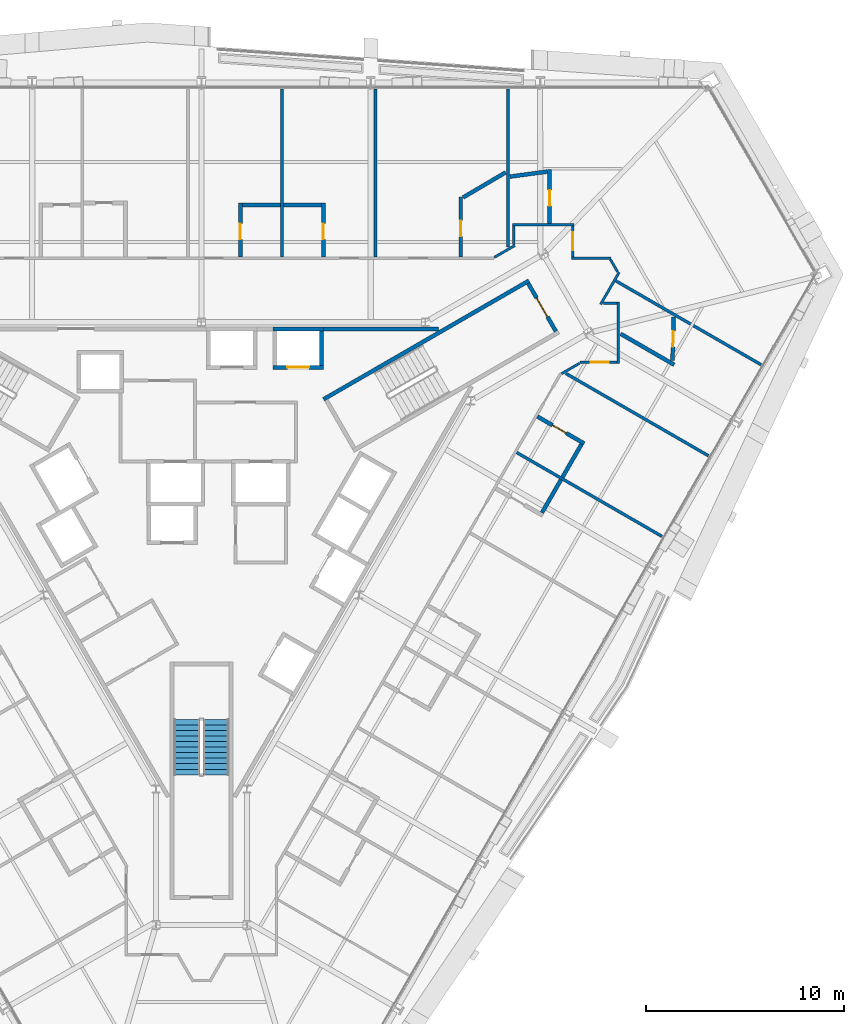
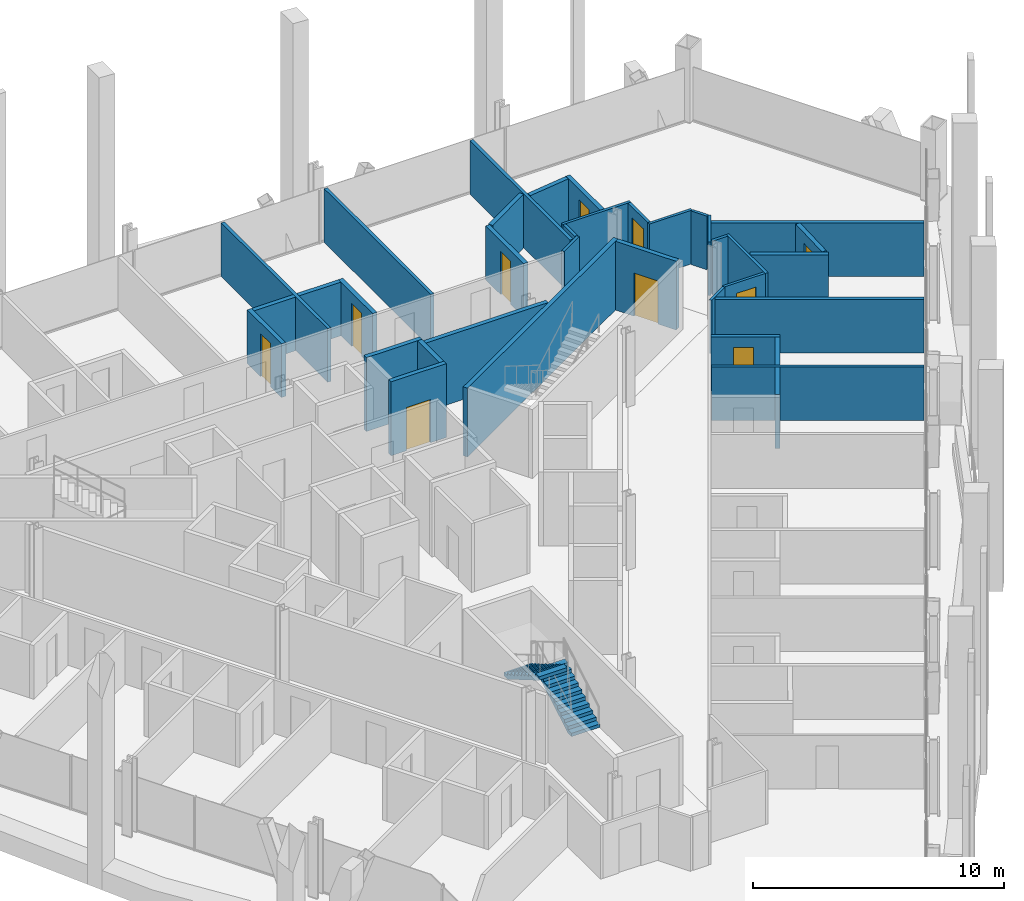
# One storey, part 17 of 21: 36 walls, 10 doors, 2 stair flights, 10 openings, 1 element without a shape of its own.
"""IFC4 building model written with IfcOpenShell, lengths in metres."""

from ifc_helpers import new_model, si_unit, direction, frame, frame_2d, origin, place, context, subcontext, project, spatial, polyline, rectangle, outline, extrude, material, layer, layer_set, type_object, element, fill, aggregate, save


model = new_model("IFC4")

# Units and contexts
model_context = context("Model", 3, precision=1e-05, world=origin(), true_north=direction((0.0, 1.0)))
body_context = subcontext(model_context, "Body", "Model", "MODEL_VIEW")
ifc_project = project(units=[si_unit("LENGTHUNIT", "METRE"), si_unit("AREAUNIT", "SQUARE_METRE"), si_unit("VOLUMEUNIT", "CUBIC_METRE"), si_unit("PLANEANGLEUNIT", "RADIAN"), si_unit("MASSUNIT", "GRAM", prefix="KILO")], contexts=[model_context])

# Site, building, storey
site_placement = place(None, origin())
site = spatial("IfcSite", under=ifc_project, at=site_placement, CompositionType="ELEMENT")
building_placement = place(site_placement, origin())
building = spatial("IfcBuilding", under=site, at=building_placement, Name="Verrane Prism Tower", CompositionType="ELEMENT")
storey_placement = place(building_placement, frame((0.0, 0.0, 65.60009765625)))
storey = spatial("IfcBuildingStorey", under=building, at=storey_placement, Name="L14", CompositionType="ELEMENT", Elevation=65.60009765625)

# Wall
ifc_material_1 = material(Name="Gypsum board partition", Category="other")
ifc_layer_1 = layer(ifc_material_1, 0.199951171875)
ifc_layer_set_1 = layer_set([ifc_layer_1], Name="CW-200 core boundary wall 2 h")
wall_type_1 = type_object("IfcWallType", Name="CW-200 core boundary wall 2 h", PredefinedType="PARTITIONING", material=ifc_layer_set_1)
wall_1_placement = place(storey_placement, frame((6.177001953125, 8.860107421875, 0.0), z_axis=(0.0, 0.0, 1.0), x_axis=(1.0, 0.0, 0.0)))
element("IfcWall", 1, at=wall_1_placement, inside=storey, type_object=wall_type_1, Name="Core boundary wall CW3-006", PredefinedType="PARTITIONING", context=body_context, shape_type="SweptSolid", body=[
    extrude(rectangle(XDim=5.81396484375, YDim=0.199951171875, at=frame_2d((2.906982421875, 0.0))), origin(), (0.0, 0.0, 1.0), 3.349853515625),
])

# Wall, opening, door
ifc_material_2 = material(Name="Concrete C40/50", Category="concrete")
ifc_layer_2 = layer(ifc_material_2, 0.199951171875)
ifc_layer_set_2 = layer_set([ifc_layer_2], Name="CW-200 stair core wall concrete C40/50 3 h")
wall_type_2 = type_object("IfcWallType", Name="CW-200 stair core wall concrete C40/50 3 h", PredefinedType="PARTITIONING", material=ifc_layer_set_2)
wall_2_placement = place(storey_placement, frame((17.933837890625, 8.737548828125, 0.0), z_axis=(0.0, 0.0, 1.0), x_axis=(-0.49998411664, 0.866034573852, 0.0)))
wall_2 = element("IfcWall", 2, at=wall_2_placement, inside=storey, type_object=wall_type_2, Name="Stair 1 enclosure wall", PredefinedType="PARTITIONING", context=body_context, shape_type="SweptSolid", body=[
    extrude(rectangle(XDim=2.7998046875, YDim=0.199951171875, at=frame_2d((1.39990234375, 0.0))), origin(), (0.0, 0.0, 1.0), 3.349853515625),
])
opening_1_placement = place(wall_2_placement, frame((0.849853515625, 0.0, 0.0)))
opening_1 = element("IfcOpeningElement", 3, at=opening_1_placement, cuts=wall_2, Name="Opening D14500", PredefinedType="OPENING", context=body_context, shape_type="SweptSolid", body=[
    extrude(rectangle(XDim=1.10009765625, YDim=2.10009765625, at=frame_2d((0.550048828125, 1.050048828125))), frame((0.0, 0.10986328125, 0.0), z_axis=(0.0, -1.0, 0.0), x_axis=(1.0, 0.0, 0.0)), (0.0, 0.0, 1.0), 0.219970703125),
])
ifc_material_3 = material(Name="Timber veneered door leaf", Category="wood")
door_type_1 = type_object("IfcDoorType", Name="DR-1100x2100 FD90 single leaf stair", OperationType="NOTDEFINED", PredefinedType="DOOR", material=ifc_material_3)
door_1_placement = place(opening_1_placement, origin())
door_1 = element("IfcDoor", 4, at=door_1_placement, inside=storey, type_object=door_type_1, Name="Stair 1 door", OperationType="SINGLE_SWING_LEFT", OverallHeight=2.10009765625, OverallWidth=1.10009765625, PredefinedType="DOOR", context=body_context, shape_type="SweptSolid", body=[
    extrude(rectangle(XDim=1.10009765625, YDim=2.10009765625, at=frame_2d((0.550048828125, 1.050048828125))), frame((0.0, 0.02490234375, 0.0), z_axis=(0.0, -1.0, 0.0), x_axis=(1.0, 0.0, 0.0)), (0.0, 0.0, 1.0), 0.050048828125),
])
fill(opening_1, door_1)

# Wall
wall_3_placement = place(storey_placement, frame((6.17822265625, 5.299072265625, 0.0), z_axis=(0.0, 0.0, 1.0), x_axis=(0.866026010844, 0.49999894854, 0.0)))
element("IfcWall", 5, at=wall_3_placement, inside=storey, type_object=wall_type_2, Name="Stair 1 enclosure wall", PredefinedType="PARTITIONING", context=body_context, shape_type="SweptSolid", body=[
    extrude(rectangle(XDim=12.0, YDim=0.199951171875, at=frame_2d((6.0, 0.0))), origin(), (0.0, 0.0, 1.0), 3.349853515625),
])

# Wall, opening, door
ifc_material_4 = material(Name="Gypsum board shaft wall assembly", Category="other")
ifc_layer_3 = layer(ifc_material_4, 0.199951171875)
ifc_layer_set_3 = layer_set([ifc_layer_3], Name="HW-200 lift shaft wall 2 h")
wall_type_3 = type_object("IfcWallType", Name="HW-200 lift shaft wall 2 h", PredefinedType="PARTITIONING", material=ifc_layer_set_3)
wall_4_placement = place(storey_placement, frame((3.625, 6.909912109375, 0.0), z_axis=(0.0, 0.0, 1.0), x_axis=(1.0, 0.0, 0.0)))
wall_4 = element("IfcWall", 6, at=wall_4_placement, inside=storey, type_object=wall_type_3, Name="Lift shaft wall", PredefinedType="PARTITIONING", context=body_context, shape_type="SweptSolid", body=[
    extrude(rectangle(XDim=2.550048828125, YDim=0.199951171875, at=frame_2d((1.27490234375, 0.0))), origin(), (0.0, 0.0, 1.0), 3.599853515625),
])
opening_2_placement = place(wall_4_placement, frame((0.72509765625, 0.0, 0.0)))
opening_2 = element("IfcOpeningElement", 7, at=opening_2_placement, cuts=wall_4, Name="Opening D14505", PredefinedType="OPENING", context=body_context, shape_type="SweptSolid", body=[
    extrude(rectangle(XDim=1.10009765625, YDim=2.10009765625, at=frame_2d((0.550048828125, 1.050048828125))), frame((0.0, 0.10986328125, 0.0), z_axis=(0.0, -1.0, 0.0), x_axis=(1.0, 0.0, 0.0)), (0.0, 0.0, 1.0), 0.219970703125),
])
ifc_material_5 = material(Name="Stainless steel sliding landing door", Category="steel")
door_type_2 = type_object("IfcDoorType", Name="LD-1100x2100 lift landing door FD90 sliding", OperationType="NOTDEFINED", PredefinedType="DOOR", material=ifc_material_5)
door_2_placement = place(opening_2_placement, origin())
door_2 = element("IfcDoor", 8, at=door_2_placement, inside=storey, type_object=door_type_2, Name="Bank A lift 3 landing door", OperationType="SLIDING_TO_LEFT", OverallHeight=2.10009765625, OverallWidth=1.10009765625, PredefinedType="DOOR", context=body_context, shape_type="SweptSolid", body=[
    extrude(rectangle(XDim=1.10009765625, YDim=2.10009765625, at=frame_2d((0.550048828125, 1.050048828125))), frame((0.0, 0.02490234375, 0.0), z_axis=(0.0, -1.0, 0.0), x_axis=(1.0, 0.0, 0.0)), (0.0, 0.0, 1.0), 0.050048828125),
])
fill(opening_2, door_2)

# Walls
wall_5_placement = place(storey_placement, frame((3.625, 8.860107421875, 0.0), z_axis=(0.0, 0.0, 1.0), x_axis=(1.0, 0.0, 0.0)))
element("IfcWall", 9, at=wall_5_placement, inside=storey, type_object=wall_type_3, Name="Lift shaft wall", PredefinedType="PARTITIONING", context=body_context, shape_type="SweptSolid", body=[
    extrude(rectangle(XDim=2.550048828125, YDim=0.199951171875, at=frame_2d((1.27490234375, 0.0))), origin(), (0.0, 0.0, 1.0), 3.599853515625),
])
wall_6_placement = place(storey_placement, frame((6.074951171875, 7.010009765625, 0.0), z_axis=(0.0, 0.0, 1.0), x_axis=(0.0, 1.0, 0.0)))
element("IfcWall", 10, at=wall_6_placement, inside=storey, type_object=wall_type_3, Name="Lift shaft wall", PredefinedType="PARTITIONING", context=body_context, shape_type="SweptSolid", body=[
    extrude(rectangle(XDim=1.75, YDim=0.199951171875, at=frame_2d((0.875, 0.0))), origin(), (0.0, 0.0, 1.0), 3.599853515625),
])
ifc_material_6 = material(Name="Gypsum board partition", Category="other")
ifc_layer_4 = layer(ifc_material_6, 0.125)
ifc_layer_set_4 = layer_set([ifc_layer_4], Name="PW-125 corridor wall 1 h")
wall_type_4 = type_object("IfcWallType", Name="PW-125 corridor wall 1 h", PredefinedType="PARTITIONING", material=ifc_layer_set_4)
wall_7_placement = place(storey_placement, frame((14.821533203125, 12.4833984375, 0.0), z_axis=(0.0, 0.0, 1.0), x_axis=(0.866035997947, 0.499981649923, 0.0)))
element("IfcWall", 11, at=wall_7_placement, inside=storey, type_object=wall_type_4, Name="Corridor wall 075", PredefinedType="PARTITIONING", context=body_context, shape_type="SweptSolid", body=[
    extrude(rectangle(XDim=1.19580078125, YDim=0.125, at=frame_2d((0.597900390625, 0.0))), origin(), (0.0, 0.0, 1.0), 2.61279296875),
])
wall_8_placement = place(storey_placement, frame((15.802978515625, 13.135009765625, 0.0), z_axis=(0.0, 0.0, 1.0), x_axis=(0.0, 1.0, 0.0)))
element("IfcWall", 12, at=wall_8_placement, inside=storey, type_object=wall_type_4, Name="Corridor wall 079", PredefinedType="PARTITIONING", context=body_context, shape_type="SweptSolid", body=[
    extrude(rectangle(XDim=0.93701171875, YDim=0.125, at=frame_2d((0.468505859375, 0.0))), origin(), (0.0, 0.0, 1.0), 2.61279296875),
])
wall_9_placement = place(storey_placement, frame((15.740478515625, 14.136962890625, 0.0), z_axis=(0.0, 0.0, 1.0), x_axis=(1.0, 0.0, 0.0)))
element("IfcWall", 13, at=wall_9_placement, inside=storey, type_object=wall_type_4, Name="Corridor wall 080", PredefinedType="PARTITIONING", context=body_context, shape_type="SweptSolid", body=[
    extrude(rectangle(XDim=3.119140625, YDim=0.125, at=frame_2d((1.5595703125, 0.0))), origin(), (0.0, 0.0, 1.0), 2.61279296875),
])
wall_10_placement = place(storey_placement, frame((18.2216796875, 6.594482421875, 0.0), z_axis=(0.0, 0.0, 1.0), x_axis=(0.865876245925, 0.500258260045, 0.0)))
element("IfcWall", 14, at=wall_10_placement, inside=storey, type_object=wall_type_4, Name="Corridor wall 085", PredefinedType="PARTITIONING", context=body_context, shape_type="SweptSolid", body=[
    extrude(rectangle(XDim=1.0517578125, YDim=0.125, at=frame_2d((0.52587890625, 0.0))), origin(), (0.0, 0.0, 1.0), 2.61279296875),
])

# Wall, opening, door
wall_11_placement = place(storey_placement, frame((18.797119140625, 14.072021484375, 0.0), z_axis=(0.0, 0.0, 1.0), x_axis=(0.0, -1.0, 0.0)))
wall_11 = element("IfcWall", 15, at=wall_11_placement, inside=storey, type_object=wall_type_4, Name="Corridor wall 088", PredefinedType="PARTITIONING", context=body_context, shape_type="SweptSolid", body=[
    extrude(rectangle(XDim=1.56591796875, YDim=0.125, at=frame_2d((0.782958984375, 0.0))), origin(), (0.0, 0.0, 1.0), 2.61279296875),
])
opening_3_placement = place(wall_11_placement, frame((0.3310546875, 0.0, 0.0)))
opening_3 = element("IfcOpeningElement", 16, at=opening_3_placement, cuts=wall_11, Name="Opening D14016", PredefinedType="OPENING", context=body_context, shape_type="SweptSolid", body=[
    extrude(rectangle(XDim=0.89990234375, YDim=2.10009765625, at=frame_2d((0.449951171875, 1.050048828125))), frame((0.0, 0.072509765625, 0.0), z_axis=(0.0, -1.0, 0.0), x_axis=(1.0, 0.0, 0.0)), (0.0, 0.0, 1.0), 0.14501953125),
])
ifc_material_7 = material(Name="Timber veneered door leaf", Category="wood")
door_type_3 = type_object("IfcDoorType", Name="DR-900x2100 FD20 single leaf unit", OperationType="NOTDEFINED", PredefinedType="DOOR", material=ifc_material_7)
door_3_placement = place(opening_3_placement, origin())
door_3 = element("IfcDoor", 17, at=door_3_placement, inside=storey, type_object=door_type_3, Name="Corner Suite door", OperationType="SINGLE_SWING_LEFT", OverallHeight=2.10009765625, OverallWidth=0.89990234375, PredefinedType="DOOR", context=body_context, shape_type="SweptSolid", body=[
    extrude(rectangle(XDim=0.89990234375, YDim=2.10009765625, at=frame_2d((0.449951171875, 1.050048828125))), frame((0.0, 0.02490234375, 0.0), z_axis=(0.0, -1.0, 0.0), x_axis=(1.0, 0.0, 0.0)), (0.0, 0.0, 1.0), 0.050048828125),
])
fill(opening_3, door_3)

# Wall
wall_12_placement = place(storey_placement, frame((18.734619140625, 12.44091796875, 0.0), z_axis=(0.0, 0.0, 1.0), x_axis=(1.0, 0.0, 0.0)))
element("IfcWall", 18, at=wall_12_placement, inside=storey, type_object=wall_type_4, Name="Corridor wall 089", PredefinedType="PARTITIONING", context=body_context, shape_type="SweptSolid", body=[
    extrude(rectangle(XDim=1.98193359375, YDim=0.125, at=frame_2d((0.990966796875, 0.0))), origin(), (0.0, 0.0, 1.0), 2.61279296875),
])

# Wall, opening, door
wall_13_placement = place(storey_placement, frame((21.031982421875, 7.1630859375, 0.0), z_axis=(0.0, 0.0, 1.0), x_axis=(-1.0, 0.0, 0.0)))
wall_13 = element("IfcWall", 19, at=wall_13_placement, inside=storey, type_object=wall_type_4, Name="Corridor wall 090", PredefinedType="PARTITIONING", context=body_context, shape_type="SweptSolid", body=[
    extrude(rectangle(XDim=1.888427734375, YDim=0.125, at=frame_2d((0.9443359375, 0.0))), origin(), (0.0, 0.0, 1.0), 2.61279296875),
])
opening_4_placement = place(wall_13_placement, frame((0.426025390625, 0.0, 0.0)))
opening_4 = element("IfcOpeningElement", 20, at=opening_4_placement, cuts=wall_13, Name="Opening D14014", PredefinedType="OPENING", context=body_context, shape_type="SweptSolid", body=[
    extrude(rectangle(XDim=0.89990234375, YDim=2.10009765625, at=frame_2d((0.449951171875, 1.050048828125))), frame((0.0, 0.072509765625, 0.0), z_axis=(0.0, -1.0, 0.0), x_axis=(1.0, 0.0, 0.0)), (0.0, 0.0, 1.0), 0.14501953125),
])
door_4_placement = place(opening_4_placement, origin())
door_4 = element("IfcDoor", 21, at=door_4_placement, inside=storey, type_object=door_type_3, Name="Guest Room door", OperationType="SINGLE_SWING_LEFT", OverallHeight=2.10009765625, OverallWidth=0.89990234375, PredefinedType="DOOR", context=body_context, shape_type="SweptSolid", body=[
    extrude(rectangle(XDim=0.89990234375, YDim=2.10009765625, at=frame_2d((0.449951171875, 1.050048828125))), frame((0.0, 0.02490234375, 0.0), z_axis=(0.0, -1.0, 0.0), x_axis=(1.0, 0.0, 0.0)), (0.0, 0.0, 1.0), 0.050048828125),
])
fill(opening_4, door_4)

# Walls
wall_14_placement = place(storey_placement, frame((20.333984375, 10.156982421875, 0.0), z_axis=(0.0, 0.0, 1.0), x_axis=(1.0, 0.0, 0.0)))
element("IfcWall", 22, at=wall_14_placement, inside=storey, type_object=wall_type_4, Name="Corridor wall 091", PredefinedType="PARTITIONING", context=body_context, shape_type="SweptSolid", body=[
    extrude(rectangle(XDim=0.697998046875, YDim=0.125, at=frame_2d((0.34912109375, 0.0))), origin(), (0.0, 0.0, 1.0), 2.61279296875),
])
wall_15_placement = place(storey_placement, frame((20.19775390625, 10.102783203125, 0.0), z_axis=(0.0, 0.0, 1.0), x_axis=(0.500072997275, 0.865983254686, 0.0)))
element("IfcWall", 23, at=wall_15_placement, inside=storey, type_object=wall_type_4, Name="Corridor wall 092", PredefinedType="PARTITIONING", context=body_context, shape_type="SweptSolid", body=[
    extrude(rectangle(XDim=1.868896484375, YDim=0.125, at=frame_2d((0.9345703125, 0.0))), origin(), (0.0, 0.0, 1.0), 2.61279296875),
])
wall_16_placement = place(storey_placement, frame((20.696533203125, 12.367431640625, 0.0), z_axis=(0.0, 0.0, 1.0), x_axis=(0.500238258503, -0.865887801468, 0.0)))
element("IfcWall", 24, at=wall_16_placement, inside=storey, type_object=wall_type_4, Name="Corridor wall 093", PredefinedType="PARTITIONING", context=body_context, shape_type="SweptSolid", body=[
    extrude(rectangle(XDim=0.723876953125, YDim=0.125, at=frame_2d((0.36181640625, 0.0))), origin(), (0.0, 0.0, 1.0), 2.61279296875),
])
wall_17_placement = place(storey_placement, frame((21.096923828125, 7.1005859375, 0.0), z_axis=(0.0, 0.0, 1.0), x_axis=(0.0, 1.0, 0.0)))
element("IfcWall", 25, at=wall_17_placement, inside=storey, type_object=wall_type_4, Name="Corridor wall 095", PredefinedType="PARTITIONING", context=body_context, shape_type="SweptSolid", body=[
    extrude(rectangle(XDim=3.118896484375, YDim=0.125, at=frame_2d((1.5595703125, 0.0))), origin(), (0.0, 0.0, 1.0), 2.61279296875),
])
ifc_material_8 = material(Name="Gypsum board partition", Category="other")
ifc_layer_5 = layer(ifc_material_8, 0.14990234375)
ifc_layer_set_5 = layer_set([ifc_layer_5], Name="PW-150 demising wall 1 h")
wall_type_5 = type_object("IfcWallType", Name="PW-150 demising wall 1 h", PredefinedType="PARTITIONING", material=ifc_layer_set_5)
for number, where, z_axis, x_axis, name in (
    (26, (4.072998046875, 12.50341796875, 0.0), (0.0, 0.0, 1.0), (0.0, 1.0, 0.0), "Demising wall 057"),
    (27, (8.81591796875, 12.50341796875, 0.0), (0.0, 0.0, 1.0), (0.0, 1.0, 0.0), "Demising wall 066"),
):
    element("IfcWall", number, at=place(storey_placement, frame(where, z_axis=z_axis, x_axis=x_axis)), inside=storey, type_object=wall_type_5, Name=name, PredefinedType="PARTITIONING", context=body_context, shape_type="SweptSolid", body=[
        extrude(rectangle(XDim=8.49169921875, YDim=0.14990234375, at=frame_2d((4.245849609375, 0.0))), origin(), (0.0, 0.0, 1.0), 2.61279296875),
    ])
wall_18_placement = place(storey_placement, frame((15.51904296875, 13.00146484375, 0.0), z_axis=(0.0, 0.0, 1.0), x_axis=(0.0, 1.0, 0.0)))
element("IfcWall", 28, at=wall_18_placement, inside=storey, type_object=wall_type_5, Name="Demising wall 077", PredefinedType="PARTITIONING", context=body_context, shape_type="SweptSolid", body=[
    extrude(rectangle(XDim=7.99365234375, YDim=0.14990234375, at=frame_2d((3.996826171875, 0.0))), origin(), (0.0, 0.0, 1.0), 2.61279296875),
])
wall_19_placement = place(storey_placement, frame((15.948486328125, 2.608154296875, 0.0), z_axis=(0.0, 0.0, 1.0), x_axis=(0.866059124033, -0.499941590267, 0.0)))
element("IfcWall", 29, at=wall_19_placement, inside=storey, type_object=wall_type_5, Name="Demising wall 081", PredefinedType="PARTITIONING", context=body_context, shape_type="SweptSolid", body=[
    extrude(rectangle(XDim=8.48681640625, YDim=0.14990234375, at=frame_2d((4.243408203125, 0.0))), origin(), (0.0, 0.0, 1.0), 2.61279296875),
])
wall_20_placement = place(storey_placement, frame((18.43994140625, 6.605224609375, 0.0), z_axis=(0.0, 0.0, 1.0), x_axis=(0.866044499518, -0.49996692376, 0.0)))
element("IfcWall", 30, at=wall_20_placement, inside=storey, type_object=wall_type_5, Name="Demising wall 087", PredefinedType="PARTITIONING", context=body_context, shape_type="SweptSolid", body=[
    extrude(rectangle(XDim=8.32763671875, YDim=0.14990234375, at=frame_2d((4.163818359375, 0.0))), origin(), (0.0, 0.0, 1.0), 2.61279296875),
])
wall_21_placement = place(storey_placement, frame((20.959228515625, 11.295654296875, 0.0), z_axis=(0.0, 0.0, 1.0), x_axis=(0.866022790583, -0.50000452617, 0.0)))
element("IfcWall", 31, at=wall_21_placement, inside=storey, type_object=wall_type_5, Name="Demising wall 094", PredefinedType="PARTITIONING", context=body_context, shape_type="SweptSolid", body=[
    extrude(rectangle(XDim=8.4912109375, YDim=0.14990234375, at=frame_2d((4.24560546875, 0.0))), origin(), (0.0, 0.0, 1.0), 2.61279296875),
])

# Wall, opening, door
ifc_material_9 = material(Name="Gypsum board partition", Category="other")
ifc_layer_6 = layer(ifc_material_9, 0.199951171875)
ifc_layer_set_6 = layer_set([ifc_layer_6], Name="PW-200 plumbing wall")
wall_type_6 = type_object("IfcWallType", Name="PW-200 plumbing wall", PredefinedType="PARTITIONING", material=ifc_layer_set_6)
wall_22_placement = place(storey_placement, frame((1.972900390625, 15.240966796875, 0.0), z_axis=(0.0, 0.0, 1.0), x_axis=(0.0, -1.0, 0.0)))
wall_22 = element("IfcWall", 32, at=wall_22_placement, inside=storey, type_object=wall_type_6, Name="Plumbing wall 052", PredefinedType="PARTITIONING", context=body_context, shape_type="SweptSolid", body=[
    extrude(rectangle(XDim=2.737548828125, YDim=0.199951171875, at=frame_2d((1.36865234375, 0.0))), origin(), (0.0, 0.0, 1.0), 2.61279296875),
])
opening_5_placement = place(wall_22_placement, frame((1.050048828125, 0.0, 0.0)))
opening_5 = element("IfcOpeningElement", 33, at=opening_5_placement, cuts=wall_22, Name="Opening D14023", PredefinedType="OPENING", context=body_context, shape_type="SweptSolid", body=[
    extrude(rectangle(XDim=0.800048828125, YDim=2.10009765625, at=frame_2d((0.39990234375, 1.050048828125))), frame((0.0, 0.10986328125, 0.0), z_axis=(0.0, -1.0, 0.0), x_axis=(1.0, 0.0, 0.0)), (0.0, 0.0, 1.0), 0.219970703125),
])
ifc_material_10 = material(Name="Timber veneered door leaf", Category="wood")
door_type_4 = type_object("IfcDoorType", Name="DR-800x2100 single leaf bath", OperationType="NOTDEFINED", PredefinedType="DOOR", material=ifc_material_10)
door_5_placement = place(opening_5_placement, origin())
door_5 = element("IfcDoor", 34, at=door_5_placement, inside=storey, type_object=door_type_4, Name="En-Suite door", OperationType="SINGLE_SWING_RIGHT", OverallHeight=2.10009765625, OverallWidth=0.800048828125, PredefinedType="DOOR", context=body_context, shape_type="SweptSolid", body=[
    extrude(rectangle(XDim=0.800048828125, YDim=2.10009765625, at=frame_2d((0.39990234375, 1.050048828125))), frame((0.0, 0.02490234375, 0.0), z_axis=(0.0, -1.0, 0.0), x_axis=(1.0, 0.0, 0.0)), (0.0, 0.0, 1.0), 0.050048828125),
])
fill(opening_5, door_5)

# Walls
for number, where, z_axis, x_axis, name in (
    (35, (2.072998046875, 15.14111328125, 0.0), (0.0, 0.0, 1.0), (1.0, 0.0, 0.0), "Plumbing wall 053"),
    (36, (4.153076171875, 15.14111328125, 0.0), (0.0, 0.0, 1.0), (1.0, 0.0, 0.0), "Plumbing wall 058"),
):
    element("IfcWall", number, at=place(storey_placement, frame(where, z_axis=z_axis, x_axis=x_axis)), inside=storey, type_object=wall_type_6, Name=name, PredefinedType="PARTITIONING", context=body_context, shape_type="SweptSolid", body=[
        extrude(rectangle(XDim=1.919921875, YDim=0.199951171875, at=frame_2d((0.9599609375, 0.0))), origin(), (0.0, 0.0, 1.0), 2.61279296875),
    ])

# Wall, opening, door
wall_23_placement = place(storey_placement, frame((6.173095703125, 12.50341796875, 0.0), z_axis=(0.0, 0.0, 1.0), x_axis=(0.0, 1.0, 0.0)))
wall_23 = element("IfcWall", 37, at=wall_23_placement, inside=storey, type_object=wall_type_6, Name="Plumbing wall 061", PredefinedType="PARTITIONING", context=body_context, shape_type="SweptSolid", body=[
    extrude(rectangle(XDim=2.737548828125, YDim=0.199951171875, at=frame_2d((1.36865234375, 0.0))), origin(), (0.0, 0.0, 1.0), 2.61279296875),
])
opening_6_placement = place(wall_23_placement, frame((0.887451171875, 0.0, 0.0)))
opening_6 = element("IfcOpeningElement", 38, at=opening_6_placement, cuts=wall_23, Name="Opening D14021", PredefinedType="OPENING", context=body_context, shape_type="SweptSolid", body=[
    extrude(rectangle(XDim=0.800048828125, YDim=2.10009765625, at=frame_2d((0.39990234375, 1.050048828125))), frame((0.0, 0.10986328125, 0.0), z_axis=(0.0, -1.0, 0.0), x_axis=(1.0, 0.0, 0.0)), (0.0, 0.0, 1.0), 0.219970703125),
])
door_6_placement = place(opening_6_placement, origin())
door_6 = element("IfcDoor", 39, at=door_6_placement, inside=storey, type_object=door_type_4, Name="En-Suite door", OperationType="SINGLE_SWING_LEFT", OverallHeight=2.10009765625, OverallWidth=0.800048828125, PredefinedType="DOOR", context=body_context, shape_type="SweptSolid", body=[
    extrude(rectangle(XDim=0.800048828125, YDim=2.10009765625, at=frame_2d((0.39990234375, 1.050048828125))), frame((0.0, 0.02490234375, 0.0), z_axis=(0.0, -1.0, 0.0), x_axis=(1.0, 0.0, 0.0)), (0.0, 0.0, 1.0), 0.050048828125),
])
fill(opening_6, door_6)

wall_24_placement = place(storey_placement, frame((13.118896484375, 15.541015625, 0.0), z_axis=(0.0, 0.0, 1.0), x_axis=(0.0, -1.0, 0.0)))
wall_24 = element("IfcWall", 40, at=wall_24_placement, inside=storey, type_object=wall_type_6, Name="Plumbing wall 072", PredefinedType="PARTITIONING", context=body_context, shape_type="SweptSolid", body=[
    extrude(rectangle(XDim=3.03759765625, YDim=0.199951171875, at=frame_2d((1.518798828125, 0.0))), origin(), (0.0, 0.0, 1.0), 2.61279296875),
])
opening_7_placement = place(wall_24_placement, frame((1.199951171875, 0.0, 0.0)))
opening_7 = element("IfcOpeningElement", 41, at=opening_7_placement, cuts=wall_24, Name="Opening D14019", PredefinedType="OPENING", context=body_context, shape_type="SweptSolid", body=[
    extrude(rectangle(XDim=0.800048828125, YDim=2.10009765625, at=frame_2d((0.39990234375, 1.050048828125))), frame((0.0, 0.10986328125, 0.0), z_axis=(0.0, -1.0, 0.0), x_axis=(1.0, 0.0, 0.0)), (0.0, 0.0, 1.0), 0.219970703125),
])
door_7_placement = place(opening_7_placement, origin())
door_7 = element("IfcDoor", 42, at=door_7_placement, inside=storey, type_object=door_type_4, Name="En-Suite door", OperationType="SINGLE_SWING_RIGHT", OverallHeight=2.10009765625, OverallWidth=0.800048828125, PredefinedType="DOOR", context=body_context, shape_type="SweptSolid", body=[
    extrude(rectangle(XDim=0.800048828125, YDim=2.10009765625, at=frame_2d((0.39990234375, 1.050048828125))), frame((0.0, 0.02490234375, 0.0), z_axis=(0.0, -1.0, 0.0), x_axis=(1.0, 0.0, 0.0)), (0.0, 0.0, 1.0), 0.050048828125),
])
fill(opening_7, door_7)

# Walls
wall_25_placement = place(storey_placement, frame((13.2353515625, 15.509521484375, 0.0), z_axis=(0.0, 0.0, 1.0), x_axis=(0.861909146735, 0.507062740471, 0.0)))
element("IfcWall", 43, at=wall_25_placement, inside=storey, type_object=wall_type_6, Name="Plumbing wall 073", PredefinedType="PARTITIONING", context=body_context, shape_type="SweptSolid", body=[
    extrude(rectangle(XDim=2.503662109375, YDim=0.199951171875, at=frame_2d((1.251953125, 0.0))), origin(), (0.0, 0.0, 1.0), 2.61279296875),
])
wall_26_placement = place(storey_placement, frame((15.607421875, 16.56494140625, 0.0), z_axis=(0.0, 0.0, 1.0), x_axis=(0.990982367401, 0.133992341199, 0.0)))
element("IfcWall", 44, at=wall_26_placement, inside=storey, type_object=wall_type_6, Name="Plumbing wall 078", PredefinedType="PARTITIONING", context=body_context, shape_type="SweptSolid", body=[
    extrude(rectangle(XDim=1.9150390625, YDim=0.199951171875, at=frame_2d((0.95751953125, 0.0))), origin(), (0.0, 0.0, 1.0), 2.61279296875),
])

# Wall, opening, door
wall_27_placement = place(storey_placement, frame((19.36572265625, 3.06103515625, 0.0), z_axis=(0.0, 0.0, 1.0), x_axis=(-0.866102295869, 0.499866795347, 0.0)))
wall_27 = element("IfcWall", 45, at=wall_27_placement, inside=storey, type_object=wall_type_6, Name="Plumbing wall 082", PredefinedType="PARTITIONING", context=body_context, shape_type="SweptSolid", body=[
    extrude(rectangle(XDim=2.733154296875, YDim=0.199951171875, at=frame_2d((1.36669921875, 0.0))), origin(), (0.0, 0.0, 1.0), 2.61279296875),
])
opening_8_placement = place(wall_27_placement, frame((1.050537109375, 0.0, 0.0)))
opening_8 = element("IfcOpeningElement", 46, at=opening_8_placement, cuts=wall_27, Name="Opening D14013", PredefinedType="OPENING", context=body_context, shape_type="SweptSolid", body=[
    extrude(rectangle(XDim=0.800048828125, YDim=2.10009765625, at=frame_2d((0.39990234375, 1.050048828125))), frame((0.0, 0.10986328125, 0.0), z_axis=(0.0, -1.0, 0.0), x_axis=(1.0, 0.0, 0.0)), (0.0, 0.0, 1.0), 0.219970703125),
])
door_8_placement = place(opening_8_placement, origin())
door_8 = element("IfcDoor", 47, at=door_8_placement, inside=storey, type_object=door_type_4, Name="En-Suite door", OperationType="SINGLE_SWING_RIGHT", OverallHeight=2.10009765625, OverallWidth=0.800048828125, PredefinedType="DOOR", context=body_context, shape_type="SweptSolid", body=[
    extrude(rectangle(XDim=0.800048828125, YDim=2.10009765625, at=frame_2d((0.39990234375, 1.050048828125))), frame((0.0, 0.02490234375, 0.0), z_axis=(0.0, -1.0, 0.0), x_axis=(1.0, 0.0, 0.0)), (0.0, 0.0, 1.0), 0.050048828125),
])
fill(opening_8, door_8)

# Wall
wall_28_placement = place(storey_placement, frame((17.22900390625, -0.4404296875, 0.0), z_axis=(0.0, 0.0, 1.0), x_axis=(0.499667418833, 0.866217334482, 0.0)))
element("IfcWall", 48, at=wall_28_placement, inside=storey, type_object=wall_type_6, Name="Plumbing wall 083", PredefinedType="PARTITIONING", context=body_context, shape_type="SweptSolid", body=[
    extrude(rectangle(XDim=1.920166015625, YDim=0.199951171875, at=frame_2d((0.9599609375, 0.0))), origin(), (0.0, 0.0, 1.0), 2.61279296875),
])

# Wall, opening, door
wall_29_placement = place(storey_placement, frame((17.618896484375, 14.199462890625, 0.0), z_axis=(0.0, 0.0, 1.0), x_axis=(0.0, 1.0, 0.0)))
wall_29 = element("IfcWall", 49, at=wall_29_placement, inside=storey, type_object=wall_type_6, Name="Plumbing wall 084", PredefinedType="PARTITIONING", context=body_context, shape_type="SweptSolid", body=[
    extrude(rectangle(XDim=2.737548828125, YDim=0.199951171875, at=frame_2d((1.36865234375, 0.0))), origin(), (0.0, 0.0, 1.0), 2.61279296875),
])
opening_9_placement = place(wall_29_placement, frame((0.887451171875, 0.0, 0.0)))
opening_9 = element("IfcOpeningElement", 50, at=opening_9_placement, cuts=wall_29, Name="Opening D14017", PredefinedType="OPENING", context=body_context, shape_type="SweptSolid", body=[
    extrude(rectangle(XDim=0.800048828125, YDim=2.10009765625, at=frame_2d((0.39990234375, 1.050048828125))), frame((0.0, 0.10986328125, 0.0), z_axis=(0.0, -1.0, 0.0), x_axis=(1.0, 0.0, 0.0)), (0.0, 0.0, 1.0), 0.219970703125),
])
door_9_placement = place(opening_9_placement, origin())
door_9 = element("IfcDoor", 51, at=door_9_placement, inside=storey, type_object=door_type_4, Name="En-Suite door", OperationType="SINGLE_SWING_LEFT", OverallHeight=2.10009765625, OverallWidth=0.800048828125, PredefinedType="DOOR", context=body_context, shape_type="SweptSolid", body=[
    extrude(rectangle(XDim=0.800048828125, YDim=2.10009765625, at=frame_2d((0.39990234375, 1.050048828125))), frame((0.0, 0.02490234375, 0.0), z_axis=(0.0, -1.0, 0.0), x_axis=(1.0, 0.0, 0.0)), (0.0, 0.0, 1.0), 0.050048828125),
])
fill(opening_9, door_9)

# Walls
wall_30_placement = place(storey_placement, frame((18.2685546875, 1.36083984375, 0.0), z_axis=(0.0, 0.0, 1.0), x_axis=(0.499993829411, 0.866028966346, 0.0)))
element("IfcWall", 52, at=wall_30_placement, inside=storey, type_object=wall_type_6, Name="Plumbing wall 086", PredefinedType="PARTITIONING", context=body_context, shape_type="SweptSolid", body=[
    extrude(rectangle(XDim=1.9208984375, YDim=0.199951171875, at=frame_2d((0.96044921875, 0.0))), origin(), (0.0, 0.0, 1.0), 2.61279296875),
])
wall_31_placement = place(storey_placement, frame((21.20947265625, 8.611083984375, 0.0), z_axis=(0.0, 0.0, 1.0), x_axis=(0.866054327916, -0.499949898588, 0.0)))
element("IfcWall", 53, at=wall_31_placement, inside=storey, type_object=wall_type_6, Name="Plumbing wall 096", PredefinedType="PARTITIONING", context=body_context, shape_type="SweptSolid", body=[
    extrude(rectangle(XDim=3.128173828125, YDim=0.199951171875, at=frame_2d((1.56396484375, 0.0))), origin(), (0.0, 0.0, 1.0), 2.61279296875),
])

# Wall, opening, door
wall_32_placement = place(storey_placement, frame((23.836181640625, 7.261962890625, 0.0), z_axis=(0.0, 0.0, 1.0), x_axis=(0.025988330811, 0.999662246292, 0.0)))
wall_32 = element("IfcWall", 54, at=wall_32_placement, inside=storey, type_object=wall_type_6, Name="Plumbing wall 097", PredefinedType="PARTITIONING", context=body_context, shape_type="SweptSolid", body=[
    extrude(rectangle(XDim=2.1982421875, YDim=0.199951171875, at=frame_2d((1.09912109375, 0.0))), origin(), (0.0, 0.0, 1.0), 2.61279296875),
])
opening_10_placement = place(wall_32_placement, frame((0.68505859375, 0.0, 0.0)))
opening_10 = element("IfcOpeningElement", 55, at=opening_10_placement, cuts=wall_32, Name="Opening D14015", PredefinedType="OPENING", context=body_context, shape_type="SweptSolid", body=[
    extrude(rectangle(XDim=0.800048828125, YDim=2.10009765625, at=frame_2d((0.39990234375, 1.050048828125))), frame((0.0, 0.10986328125, 0.0), z_axis=(0.0, -1.0, 0.0), x_axis=(1.0, 0.0, 0.0)), (0.0, 0.0, 1.0), 0.219970703125),
])
door_10_placement = place(opening_10_placement, origin())
door_10 = element("IfcDoor", 56, at=door_10_placement, inside=storey, type_object=door_type_4, Name="En-Suite door", OperationType="SINGLE_SWING_LEFT", OverallHeight=2.10009765625, OverallWidth=0.800048828125, PredefinedType="DOOR", context=body_context, shape_type="SweptSolid", body=[
    extrude(rectangle(XDim=0.800048828125, YDim=2.10009765625, at=frame_2d((0.39990234375, 1.050048828125))), frame((0.0, 0.02490234375, 0.0), z_axis=(0.0, -1.0, 0.0), x_axis=(1.0, 0.0, 0.0)), (0.0, 0.0, 1.0), 0.050048828125),
])
fill(opening_10, door_10)

# Stair, stair flights
ifc_material_11 = material(Name="Concrete C40/50", Category="concrete")
stair_type = type_object("IfcStairType", Name="Exit stair 1300 dog-leg precast concrete C40/50", PredefinedType="HALF_TURN_STAIR", material=ifc_material_11)
stair_placement = place(storey_placement, origin())
stair = element("IfcStair", 57, at=stair_placement, inside=storey, type_object=stair_type, Name="Stair 3 L14", PredefinedType="HALF_TURN_STAIR")
ifc_material_12 = material(Name="Concrete C40/50", Category="concrete")
stair_flight_type = type_object("IfcStairFlightType", Name="Stair flight 1300 precast concrete C40/50", PredefinedType="STRAIGHT", material=ifc_material_12)
stair_flight_1_placement = place(storey_placement, frame((0.75, -13.699951171875, 0.0), z_axis=(0.0, 0.0, 1.0), x_axis=(0.0, 1.0, 0.0)))
stair_flight_1 = element("IfcStairFlight", 58, at=stair_flight_1_placement, type_object=stair_flight_type, Name="Stair 3 flight 1", NumberOfRisers=11, NumberOfTreads=10, PredefinedType="STRAIGHT", RiserHeight=0.163636364, TreadLength=0.28, context=body_context, shape_type="SweptSolid", body=[
    extrude(outline(polyline([(0.0, 0.0), (0.0, 0.16357421875), (0.280029296875, 0.16357421875), (0.280029296875, 0.327392578125), (0.56005859375, 0.327392578125), (0.56005859375, 0.490966796875), (0.840087890625, 0.490966796875), (0.840087890625, 0.654541015625), (1.1201171875, 0.654541015625), (1.1201171875, 0.818115234375), (1.39990234375, 0.818115234375), (1.39990234375, 0.98193359375), (1.679931640625, 0.98193359375), (1.679931640625, 1.1455078125), (1.9599609375, 1.1455078125), (1.9599609375, 1.30908203125), (2.239990234375, 1.30908203125), (2.239990234375, 1.47265625), (2.52001953125, 1.47265625), (2.52001953125, 1.636474609375), (2.800048828125, 1.636474609375), (2.800048828125, 1.800048828125), (2.800048828125, 1.462646484375), (0.297119140625, 0.0), (0.0, 0.0)])), frame((0.0, 0.64990234375, 0.0), z_axis=(0.0, -1.0, 0.0), x_axis=(1.0, 0.0, 0.0)), (0.0, 0.0, 1.0), 1.300048828125),
])
stair_flight_2_placement = place(storey_placement, frame((-0.75, -10.89990234375, 1.7998046875), z_axis=(0.0, 0.0, 1.0), x_axis=(0.0, -1.0, 0.0)))
stair_flight_2 = element("IfcStairFlight", 59, at=stair_flight_2_placement, type_object=stair_flight_type, Name="Stair 3 flight 2", NumberOfRisers=11, NumberOfTreads=10, PredefinedType="STRAIGHT", RiserHeight=0.163636364, TreadLength=0.28, context=body_context, shape_type="SweptSolid", body=[
    extrude(outline(polyline([(0.0, 0.0), (0.0, 0.16357421875), (0.280029296875, 0.16357421875), (0.280029296875, 0.327392578125), (0.56005859375, 0.327392578125), (0.56005859375, 0.490966796875), (0.840087890625, 0.490966796875), (0.840087890625, 0.654541015625), (1.1201171875, 0.654541015625), (1.1201171875, 0.818115234375), (1.39990234375, 0.818115234375), (1.39990234375, 0.98193359375), (1.679931640625, 0.98193359375), (1.679931640625, 1.1455078125), (1.9599609375, 1.1455078125), (1.9599609375, 1.30908203125), (2.239990234375, 1.30908203125), (2.239990234375, 1.47265625), (2.52001953125, 1.47265625), (2.52001953125, 1.636474609375), (2.800048828125, 1.636474609375), (2.800048828125, 1.800048828125), (2.800048828125, 1.462646484375), (0.297119140625, 0.0), (0.0, 0.0)])), frame((0.0, 0.64990234375, 0.0), z_axis=(0.0, -1.0, 0.0), x_axis=(1.0, 0.0, 0.0)), (0.0, 0.0, 1.0), 1.300048828125),
])
aggregate(stair, [stair_flight_1, stair_flight_2])

save(model, "model.ifc")
